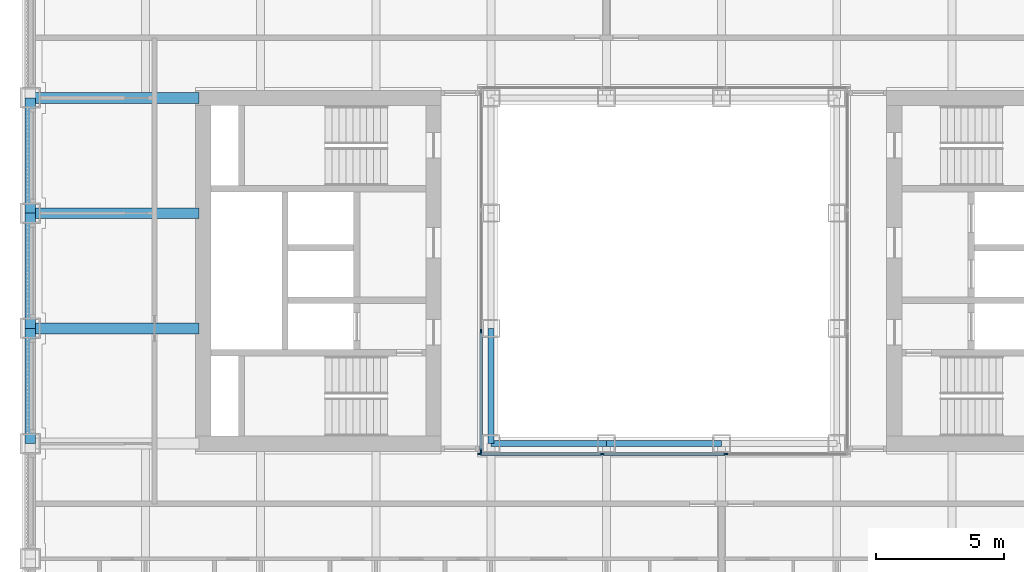
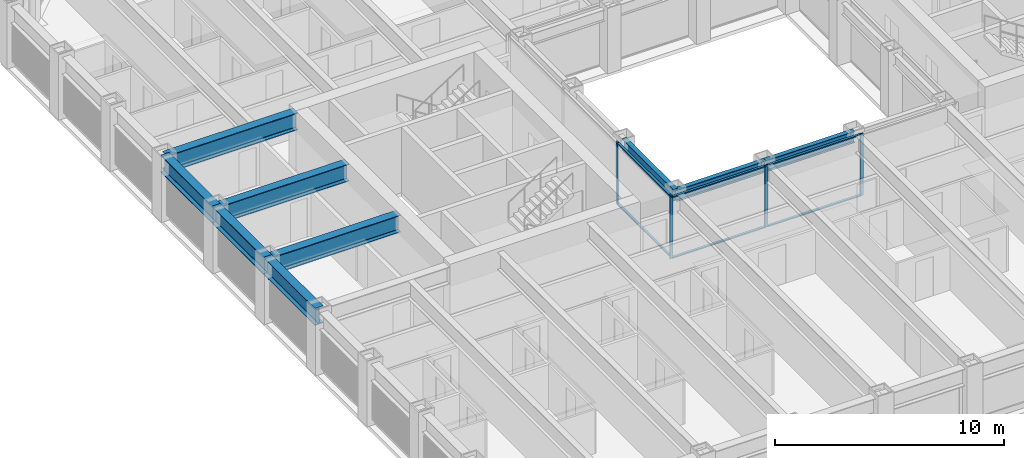
# One storey, part 3 of 21: 11 members, 9 beams, 2 elements without a shape of their own.
"""IFC4 building model written with IfcOpenShell, lengths in metres."""

from ifc_helpers import new_model, si_unit, direction, frame, origin, origin_2d, place, context, subcontext, project, spatial, rectangle, i_section, extrude, material, material_profile, profile_set, type_object, element, aggregate, save


model = new_model("IFC4")

# Units and contexts
model_context = context("Model", 3, precision=1e-05, world=origin(), true_north=direction((0.0, 1.0)))
body_context = subcontext(model_context, "Body", "Model", "MODEL_VIEW")
ifc_project = project(units=[si_unit("LENGTHUNIT", "METRE"), si_unit("AREAUNIT", "SQUARE_METRE"), si_unit("VOLUMEUNIT", "CUBIC_METRE"), si_unit("PLANEANGLEUNIT", "RADIAN"), si_unit("MASSUNIT", "GRAM", prefix="KILO")], contexts=[model_context])

# Site, building, storey
site_placement = place(None, origin())
site = spatial("IfcSite", under=ifc_project, at=site_placement, CompositionType="ELEMENT")
building_placement = place(site_placement, origin())
building = spatial("IfcBuilding", under=site, at=building_placement, Name="Msasa Ring Tower", CompositionType="ELEMENT")
storey_placement = place(building_placement, frame((0.0, 0.0, 86.0)))
storey = spatial("IfcBuildingStorey", under=building, at=storey_placement, Name="L22", CompositionType="ELEMENT", Elevation=86.0)

# Curtain wall, members
ifc_material_1 = material(Name="Aluminium curtain wall with clear glass", Category="aluminium")
curtain_wall_type = type_object("IfcCurtainWallType", Name="CW-W LIGHT WELL CURTAIN WALL", PredefinedType="NOTDEFINED", material=ifc_material_1)
curtain_wall_1_placement = place(storey_placement, origin())
curtain_wall_1 = element("IfcCurtainWall", 1, at=curtain_wall_1_placement, inside=storey, type_object=curtain_wall_type, Name="Light well curtain wall S L22", PredefinedType="NOTDEFINED")
ifc_material_2 = material(Name="Aluminium mullion", Category="aluminium")
ifc_material_profile_1 = material_profile(ifc_material_2, rectangle(XDim=0.06005859375, YDim=0.159912109375, at=origin_2d()), Name="AL 60x160")
ifc_profile_set_1 = profile_set([ifc_material_profile_1], Name="Aluminium mullion")
member_type_1 = type_object("IfcMemberType", Name="CW-W MULLION 60x160", PredefinedType="MULLION", material=ifc_profile_set_1)
member_1_placement = place(storey_placement, frame((-7.199951171875, -7.14990234375, 0.0), z_axis=(0.0, 0.0, 1.0), x_axis=(0.0, 1.0, 0.0)))
member_1 = element("IfcMember", 2, at=member_1_placement, type_object=member_type_1, Name="CW-W mullion 1", PredefinedType="MULLION", context=body_context, shape_type="SweptSolid", body=[
    extrude(rectangle(XDim=0.06005859375, YDim=0.159912109375, at=origin_2d()), origin(), (0.0, 0.0, 1.0), 3.300048828125),
])
member_2_placement = place(storey_placement, frame((-2.409912109375, -7.14990234375, 0.0), z_axis=(0.0, 0.0, 1.0), x_axis=(0.0, 1.0, 0.0)))
member_2 = element("IfcMember", 3, at=member_2_placement, type_object=member_type_1, Name="CW-W mullion 2", PredefinedType="MULLION", context=body_context, shape_type="SweptSolid", body=[
    extrude(rectangle(XDim=0.06005859375, YDim=0.159912109375, at=origin_2d()), origin(), (0.0, 0.0, 1.0), 3.300048828125),
])
member_3_placement = place(storey_placement, frame((2.409912109375, -7.14990234375, 0.0), z_axis=(0.0, 0.0, 1.0), x_axis=(0.0, 1.0, 0.0)))
member_3 = element("IfcMember", 4, at=member_3_placement, type_object=member_type_1, Name="CW-W mullion 3", PredefinedType="MULLION", context=body_context, shape_type="SweptSolid", body=[
    extrude(rectangle(XDim=0.06005859375, YDim=0.159912109375, at=origin_2d()), origin(), (0.0, 0.0, 1.0), 3.300048828125),
])

curtain_wall_2_placement = place(storey_placement, origin())
curtain_wall_2 = element("IfcCurtainWall", 5, at=curtain_wall_2_placement, inside=storey, type_object=curtain_wall_type, Name="Light well curtain wall W L22", PredefinedType="NOTDEFINED")
member_4_placement = place(storey_placement, frame((-7.14990234375, -7.0400390625, 0.0), z_axis=(0.0, 0.0, 1.0), x_axis=(-1.0, 0.0, 0.0)))
member_4 = element("IfcMember", 6, at=member_4_placement, type_object=member_type_1, Name="CW-W mullion 1", PredefinedType="MULLION", context=body_context, shape_type="SweptSolid", body=[
    extrude(rectangle(XDim=0.06005859375, YDim=0.159912109375, at=origin_2d()), origin(), (0.0, 0.0, 1.0), 3.300048828125),
])
member_5_placement = place(storey_placement, frame((-7.14990234375, -2.356689453125, 0.0), z_axis=(0.0, 0.0, 1.0), x_axis=(-1.0, 0.0, 0.0)))
member_5 = element("IfcMember", 7, at=member_5_placement, type_object=member_type_1, Name="CW-W mullion 2", PredefinedType="MULLION", context=body_context, shape_type="SweptSolid", body=[
    extrude(rectangle(XDim=0.06005859375, YDim=0.159912109375, at=origin_2d()), origin(), (0.0, 0.0, 1.0), 3.300048828125),
])

# Member
ifc_material_3 = material(Name="Aluminium transom", Category="aluminium")
ifc_material_profile_2 = material_profile(ifc_material_3, rectangle(XDim=0.1201171875, YDim=0.06005859375, at=origin_2d()), Name="AL 60x120")
ifc_profile_set_2 = profile_set([ifc_material_profile_2], Name="Aluminium transom")
member_type_2 = type_object("IfcMemberType", Name="CW-W TRANSOM 60x120", PredefinedType="USERDEFINED", material=ifc_profile_set_2)
member_6_placement = place(storey_placement, frame((-7.169921875, -7.14990234375, 0.030029296875), z_axis=(1.0, 0.0, 0.0), x_axis=(0.0, 1.0, 0.0)))
member_6 = element("IfcMember", 8, at=member_6_placement, type_object=member_type_2, Name="CW-W transom 1.1", ObjectType="TRANSOM", PredefinedType="USERDEFINED", context=body_context, shape_type="SweptSolid", body=[
    extrude(rectangle(XDim=0.1201171875, YDim=0.06005859375, at=origin_2d()), origin(), (0.0, 0.0, 1.0), 4.72998046875),
])

member_7_placement = place(storey_placement, frame((-7.169921875, -7.14990234375, 3.27001953125), z_axis=(1.0, 0.0, 0.0), x_axis=(0.0, 1.0, 0.0)))
member_7 = element("IfcMember", 9, at=member_7_placement, type_object=member_type_2, Name="CW-W transom 1.2", ObjectType="TRANSOM", PredefinedType="USERDEFINED", context=body_context, shape_type="SweptSolid", body=[
    extrude(rectangle(XDim=0.1201171875, YDim=0.06005859375, at=origin_2d()), origin(), (0.0, 0.0, 1.0), 4.72998046875),
])

member_8_placement = place(storey_placement, frame((-2.3798828125, -7.14990234375, 0.030029296875), z_axis=(1.0, 0.0, 0.0), x_axis=(0.0, 1.0, 0.0)))
member_8 = element("IfcMember", 10, at=member_8_placement, type_object=member_type_2, Name="CW-W transom 2.1", ObjectType="TRANSOM", PredefinedType="USERDEFINED", context=body_context, shape_type="SweptSolid", body=[
    extrude(rectangle(XDim=0.1201171875, YDim=0.06005859375, at=origin_2d()), origin(), (0.0, 0.0, 1.0), 4.759765625),
])

member_9_placement = place(storey_placement, frame((-2.3798828125, -7.14990234375, 3.27001953125), z_axis=(1.0, 0.0, 0.0), x_axis=(0.0, 1.0, 0.0)))
member_9 = element("IfcMember", 11, at=member_9_placement, type_object=member_type_2, Name="CW-W transom 2.2", ObjectType="TRANSOM", PredefinedType="USERDEFINED", context=body_context, shape_type="SweptSolid", body=[
    extrude(rectangle(XDim=0.1201171875, YDim=0.06005859375, at=origin_2d()), origin(), (0.0, 0.0, 1.0), 4.759765625),
])

aggregate(curtain_wall_1, [member_1, member_2, member_3, member_6, member_7, member_8, member_9])

member_10_placement = place(storey_placement, frame((-7.14990234375, -7.010009765625, 0.030029296875), z_axis=(0.0, 1.0, 0.0), x_axis=(-1.0, 0.0, 0.0)))
member_10 = element("IfcMember", 12, at=member_10_placement, type_object=member_type_2, Name="CW-W transom 1.1", ObjectType="TRANSOM", PredefinedType="USERDEFINED", context=body_context, shape_type="SweptSolid", body=[
    extrude(rectangle(XDim=0.1201171875, YDim=0.06005859375, at=origin_2d()), origin(), (0.0, 0.0, 1.0), 4.623291015625),
])

member_11_placement = place(storey_placement, frame((-7.14990234375, -7.010009765625, 3.27001953125), z_axis=(0.0, 1.0, 0.0), x_axis=(-1.0, 0.0, 0.0)))
member_11 = element("IfcMember", 13, at=member_11_placement, type_object=member_type_2, Name="CW-W transom 1.2", ObjectType="TRANSOM", PredefinedType="USERDEFINED", context=body_context, shape_type="SweptSolid", body=[
    extrude(rectangle(XDim=0.1201171875, YDim=0.06005859375, at=origin_2d()), origin(), (0.0, 0.0, 1.0), 4.623291015625),
])

aggregate(curtain_wall_2, [member_4, member_5, member_10, member_11])

# Beams
ifc_material_4 = material(Name="Steel S355", Category="steel")
ifc_material_profile_3 = material_profile(ifc_material_4, i_section(OverallWidth=0.42041015625, OverallDepth=0.9208984375, WebThickness=0.021484375, FlangeThickness=0.03662109375, FilletRadius=0.024169921875, at=origin_2d()), Name="UB 914x419x388")
ifc_profile_set_3 = profile_set([ifc_material_profile_3], Name="Steel S355")
beam_type_1 = type_object("IfcBeamType", Name="FB2 UB 914x419x388", PredefinedType="BEAM", material=ifc_profile_set_3)
for number, where, z_axis, x_axis, name in (
    (14, (-24.75, -2.25, 2.839599609375), (1.0, 0.0, 0.0), (0.0, 1.0, 0.0), "Floor beam W -2.25 under L23"),
    (15, (-24.75, 2.25, 2.839599609375), (1.0, 0.0, 0.0), (0.0, 1.0, 0.0), "Floor beam W +2.25 under L23"),
):
    element("IfcBeam", number, at=place(storey_placement, frame(where, z_axis=z_axis, x_axis=x_axis)), inside=storey, type_object=beam_type_1, Name=name, PredefinedType="BEAM", context=body_context, shape_type="SweptSolid", body=[
        extrude(i_section(OverallWidth=0.42041015625, OverallDepth=0.9208984375, WebThickness=0.021484375, FlangeThickness=0.03662109375, FilletRadius=0.024169921875, at=origin_2d()), origin(), (0.0, 0.0, 1.0), 6.60009765625),
    ])
ifc_material_5 = material(Name="Steel S355", Category="steel")
ifc_material_profile_4 = material_profile(ifc_material_5, i_section(OverallWidth=0.42041015625, OverallDepth=0.9208984375, WebThickness=0.021484375, FlangeThickness=0.03662109375, FilletRadius=0.024169921875, at=origin_2d()), Name="UB 914x419x388")
ifc_profile_set_4 = profile_set([ifc_material_profile_4], Name="Steel S355")
beam_type_2 = type_object("IfcBeamType", Name="GB1 UB 914x419x388", PredefinedType="BEAM", material=ifc_profile_set_4)
beam_placement = place(storey_placement, frame((-18.14990234375, 6.75, 2.839599609375), z_axis=(-1.0, 0.0, 0.0), x_axis=(0.0, -1.0, 0.0)))
element("IfcBeam", 16, at=beam_placement, inside=storey, type_object=beam_type_2, Name="Girder W +6.75 under L23", PredefinedType="BEAM", context=body_context, shape_type="SweptSolid", body=[
    extrude(i_section(OverallWidth=0.42041015625, OverallDepth=0.9208984375, WebThickness=0.021484375, FlangeThickness=0.03662109375, FilletRadius=0.024169921875, at=origin_2d()), origin(), (0.0, 0.0, 1.0), 6.60009765625),
])
ifc_material_6 = material(Name="Steel S355", Category="steel")
ifc_material_profile_5 = material_profile(ifc_material_6, i_section(OverallWidth=0.230224609375, OverallDepth=0.6171875, WebThickness=0.01318359375, FlangeThickness=0.022216796875, FilletRadius=0.0126953125, at=origin_2d()), Name="UB 610x229x140")
ifc_profile_set_5 = profile_set([ifc_material_profile_5], Name="Steel S355")
beam_type_3 = type_object("IfcBeamType", Name="RB1 UB 610x229x140", PredefinedType="BEAM", material=ifc_profile_set_5)
for number, where, z_axis, x_axis, name in (
    (17, (-6.75, -2.25, 2.991455078125), (0.0, -1.0, 0.0), (1.0, 0.0, 0.0), "Inner ring beam IR-6.75-2.25 under L23"),
    (18, (-6.75, -6.75, 2.991455078125), (1.0, 0.0, 0.0), (0.0, 1.0, 0.0), "Inner ring beam IR-6.75-6.75 under L23"),
    (19, (-2.25, -6.75, 2.991455078125), (1.0, 0.0, 0.0), (0.0, 1.0, 0.0), "Inner ring beam IR-2.25-6.75 under L23"),
):
    element("IfcBeam", number, at=place(storey_placement, frame(where, z_axis=z_axis, x_axis=x_axis)), inside=storey, type_object=beam_type_3, Name=name, PredefinedType="BEAM", context=body_context, shape_type="SweptSolid", body=[
        extrude(i_section(OverallWidth=0.230224609375, OverallDepth=0.6171875, WebThickness=0.01318359375, FlangeThickness=0.022216796875, FilletRadius=0.0126953125, at=origin_2d()), origin(), (0.0, 0.0, 1.0), 4.5),
    ])
ifc_material_7 = material(Name="Steel S355", Category="steel")
ifc_material_profile_6 = material_profile(ifc_material_7, i_section(OverallWidth=0.42041015625, OverallDepth=0.9208984375, WebThickness=0.021484375, FlangeThickness=0.03662109375, FilletRadius=0.024169921875, at=origin_2d()), Name="UB 914x419x388")
ifc_profile_set_6 = profile_set([ifc_material_profile_6], Name="Steel S355")
beam_type_4 = type_object("IfcBeamType", Name="SB1 UB 914x419x388", PredefinedType="SPANDREL", material=ifc_profile_set_6)
for number, where, z_axis, x_axis, name in (
    (20, (-24.75, -2.25, 2.839599609375), (0.0, -1.0, 0.0), (1.0, 0.0, 0.0), "Spandrel W-2.25 to W-6.75 under L23"),
    (21, (-24.75, 6.75, 2.839599609375), (0.0, -1.0, 0.0), (1.0, 0.0, 0.0), "Spandrel W+6.75 to W+2.25 under L23"),
    (22, (-24.75, 2.25, 2.839599609375), (0.0, -1.0, 0.0), (1.0, 0.0, 0.0), "Spandrel W+2.25 to W-2.25 under L23"),
):
    element("IfcBeam", number, at=place(storey_placement, frame(where, z_axis=z_axis, x_axis=x_axis)), inside=storey, type_object=beam_type_4, Name=name, PredefinedType="SPANDREL", context=body_context, shape_type="SweptSolid", body=[
        extrude(i_section(OverallWidth=0.42041015625, OverallDepth=0.9208984375, WebThickness=0.021484375, FlangeThickness=0.03662109375, FilletRadius=0.024169921875, at=origin_2d()), origin(), (0.0, 0.0, 1.0), 4.5),
    ])

save(model, "model.ifc")
